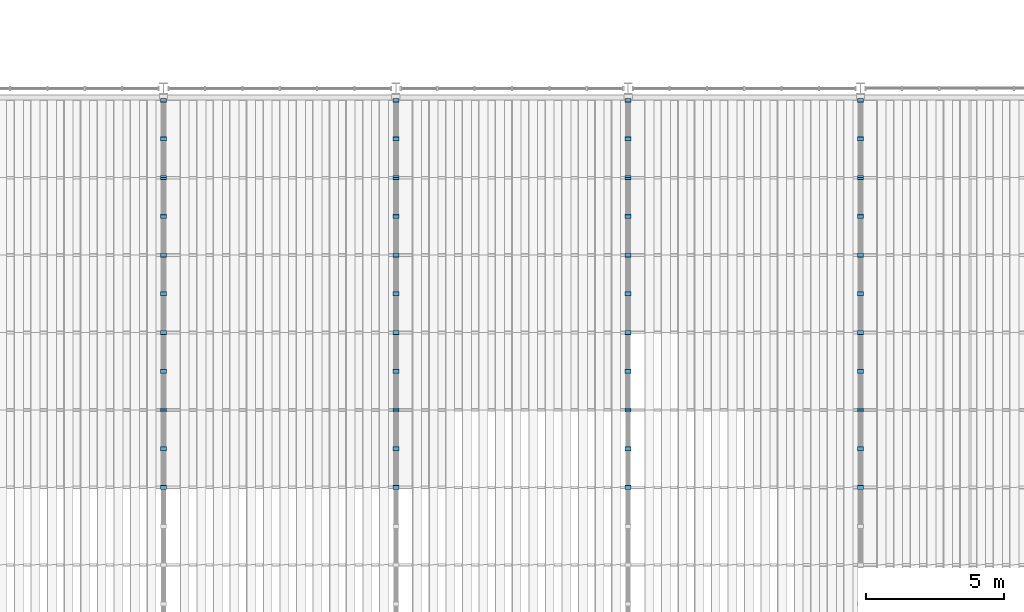
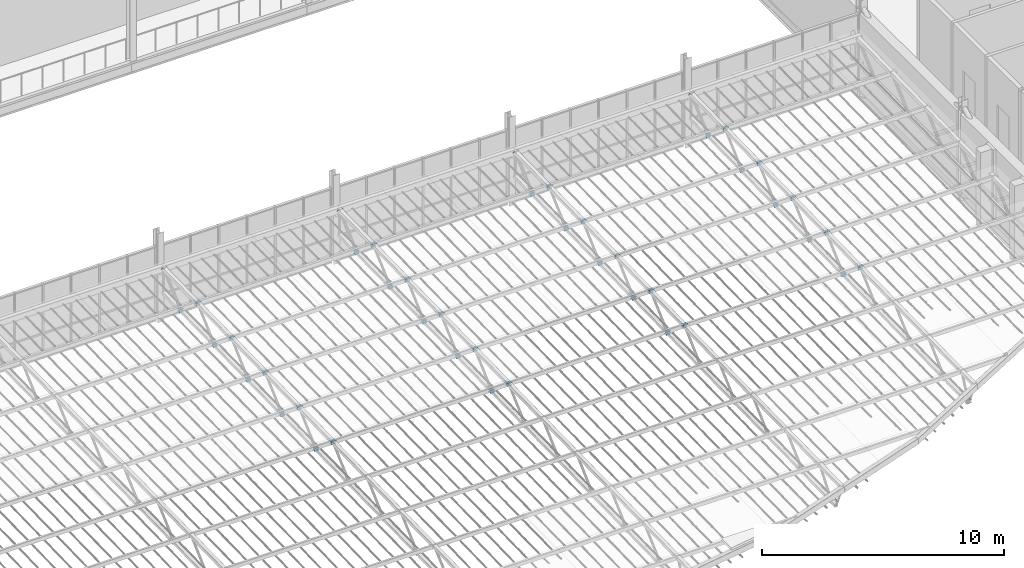
# One storey, part 108 of 129: 84 discrete accessories.
"""IFC4 building model written with IfcOpenShell, lengths in metres."""

from ifc_helpers import new_model, si_unit, direction, frame, origin, origin_2d, place, context, subcontext, project, spatial, rectangle, extrude, material, material_profile, profile_set, type_object, element, save


model = new_model("IFC4")

# Units and contexts
model_context = context("Model", 3, precision=1e-05, world=origin(), true_north=direction((0.0, 1.0)))
body_context = subcontext(model_context, "Body", "Model", "MODEL_VIEW")
ifc_project = project(units=[si_unit("LENGTHUNIT", "METRE"), si_unit("AREAUNIT", "SQUARE_METRE"), si_unit("VOLUMEUNIT", "CUBIC_METRE"), si_unit("PLANEANGLEUNIT", "RADIAN"), si_unit("MASSUNIT", "GRAM", prefix="KILO")], contexts=[model_context])

# Site, building, storey
site_placement = place(None, origin())
site = spatial("IfcSite", under=ifc_project, at=site_placement, CompositionType="ELEMENT")
building_placement = place(site_placement, origin())
building = spatial("IfcBuilding", under=site, at=building_placement, Name="Ardhachandra Cancer Care Centre", CompositionType="ELEMENT")
storey_placement = place(building_placement, frame((0.0, 0.0, 4.5)))
storey = spatial("IfcBuildingStorey", under=building, at=storey_placement, Name="L01", CompositionType="ELEMENT", Elevation=4.5)

# Discrete accessories
ifc_material = material(Name="Steel E250 (IS 2062)", Category="steel")
ifc_material_profile = material_profile(ifc_material, rectangle(XDim=0.21435546875, YDim=0.21435546875, at=origin_2d()), Name="PL 214x214x12")
ifc_profile_set = profile_set([ifc_material_profile], Name="Steel E250 (IS 2062)")
discrete_accessory_type = type_object("IfcDiscreteAccessoryType", Name="Diagonal end plate 214 x 214 x 12", PredefinedType="BRACKET", material=ifc_profile_set)
for number, where, z_axis, x_axis, name in (
    (1, (78.0, 54.175048828125, 2.853515625), (0.0, -0.746295434469, -0.665614846958), (1.0, 0.0, 0.0), "Diagonal end plate Canopy truss 5 web diagonal WD24 1"),
    (2, (78.0, 52.77490234375, 1.590576171875), (0.0, 0.746295434469, 0.665614846958), (-1.0, 0.0, 0.0), "Diagonal end plate Canopy truss 5 web diagonal WD24 2"),
):
    element("IfcDiscreteAccessory", number, at=place(storey_placement, frame(where, z_axis=z_axis, x_axis=x_axis)), inside=storey, type_object=discrete_accessory_type, Name=name, PredefinedType="BRACKET", context=body_context, shape_type="SweptSolid", body=[
        extrude(rectangle(XDim=0.21435546875, YDim=0.21435546875, at=origin_2d()), origin(), (0.0, 0.0, 1.0), 0.01220703125),
    ])
discrete_accessory_1_placement = place(storey_placement, frame((78.0, 52.77490234375, 1.590576171875), z_axis=(0.0, -0.756363172452, 0.654151932932), x_axis=(1.0, 0.0, 0.0)))
element("IfcDiscreteAccessory", 3, at=discrete_accessory_1_placement, inside=storey, type_object=discrete_accessory_type, Name="Diagonal end plate Canopy truss 5 web diagonal WD25 1", PredefinedType="BRACKET", context=body_context, shape_type="SweptSolid", body=[
    extrude(rectangle(XDim=0.21435546875, YDim=0.21435546875, at=origin_2d()), origin(), (0.0, 0.0, 1.0), 0.011962890625),
])
discrete_accessory_2_placement = place(storey_placement, frame((78.0, 51.375, 2.797607421875), z_axis=(0.0, 0.746295434469, -0.665614846958), x_axis=(-1.0, 0.0, 0.0)))
element("IfcDiscreteAccessory", 4, at=discrete_accessory_2_placement, inside=storey, type_object=discrete_accessory_type, Name="Diagonal end plate Canopy truss 5 web diagonal WD25 2", PredefinedType="BRACKET", context=body_context, shape_type="SweptSolid", body=[
    extrude(rectangle(XDim=0.21435546875, YDim=0.21435546875, at=origin_2d()), origin(), (0.0, 0.0, 1.0), 0.01220703125),
])
for number, where, z_axis, x_axis, name in (
    (5, (78.0, 51.375, 2.797607421875), (0.0, -0.737154140201, -0.675724628517), (1.0, 0.0, 0.0), "Diagonal end plate Canopy truss 5 web diagonal WD26 1"),
    (6, (78.0, 49.97509765625, 1.534423828125), (0.0, 0.737154140201, 0.675724628517), (-1.0, 0.0, 0.0), "Diagonal end plate Canopy truss 5 web diagonal WD26 2"),
):
    element("IfcDiscreteAccessory", number, at=place(storey_placement, frame(where, z_axis=z_axis, x_axis=x_axis)), inside=storey, type_object=discrete_accessory_type, Name=name, PredefinedType="BRACKET", context=body_context, shape_type="SweptSolid", body=[
        extrude(rectangle(XDim=0.21435546875, YDim=0.21435546875, at=origin_2d()), origin(), (0.0, 0.0, 1.0), 0.011962890625),
    ])
discrete_accessory_3_placement = place(storey_placement, frame((78.0, 49.97509765625, 1.534423828125), z_axis=(0.0, -0.764911198117, 0.644135745783), x_axis=(1.0, 0.0, 0.0)))
element("IfcDiscreteAccessory", 7, at=discrete_accessory_3_placement, inside=storey, type_object=discrete_accessory_type, Name="Diagonal end plate Canopy truss 5 web diagonal WD27 1", PredefinedType="BRACKET", context=body_context, shape_type="SweptSolid", body=[
    extrude(rectangle(XDim=0.21435546875, YDim=0.21435546875, at=origin_2d()), origin(), (0.0, 0.0, 1.0), 0.01220703125),
])
for number, where, z_axis, x_axis, name in (
    (8, (78.0, 48.574951171875, 2.741455078125), (0.0, 0.756363172452, -0.654151932932), (-1.0, 0.0, 0.0), "Diagonal end plate Canopy truss 5 web diagonal WD27 2"),
    (9, (78.0, 48.574951171875, 2.741455078125), (0.0, -0.737154140201, -0.675724628517), (1.0, 0.0, 0.0), "Diagonal end plate Canopy truss 5 web diagonal WD28 1"),
    (10, (78.0, 47.175048828125, 1.478515625), (0.0, 0.737154140201, 0.675724628517), (-1.0, 0.0, 0.0), "Diagonal end plate Canopy truss 5 web diagonal WD28 2"),
    (11, (78.0, 47.175048828125, 1.478515625), (0.0, -0.756363172452, 0.654151932932), (1.0, 0.0, 0.0), "Diagonal end plate Canopy truss 5 web diagonal WD29 1"),
):
    element("IfcDiscreteAccessory", number, at=place(storey_placement, frame(where, z_axis=z_axis, x_axis=x_axis)), inside=storey, type_object=discrete_accessory_type, Name=name, PredefinedType="BRACKET", context=body_context, shape_type="SweptSolid", body=[
        extrude(rectangle(XDim=0.21435546875, YDim=0.21435546875, at=origin_2d()), origin(), (0.0, 0.0, 1.0), 0.011962890625),
    ])
discrete_accessory_4_placement = place(storey_placement, frame((78.0, 45.77490234375, 2.685546875), z_axis=(0.0, 0.764911198117, -0.644135745783), x_axis=(-1.0, 0.0, 0.0)))
element("IfcDiscreteAccessory", 12, at=discrete_accessory_4_placement, inside=storey, type_object=discrete_accessory_type, Name="Diagonal end plate Canopy truss 5 web diagonal WD29 2", PredefinedType="BRACKET", context=body_context, shape_type="SweptSolid", body=[
    extrude(rectangle(XDim=0.21435546875, YDim=0.21435546875, at=origin_2d()), origin(), (0.0, 0.0, 1.0), 0.01220703125),
])
discrete_accessory_5_placement = place(storey_placement, frame((78.0, 45.77490234375, 2.685546875), z_axis=(0.0, -0.737154140201, -0.675724628517), x_axis=(1.0, 0.0, 0.0)))
element("IfcDiscreteAccessory", 13, at=discrete_accessory_5_placement, inside=storey, type_object=discrete_accessory_type, Name="Diagonal end plate Canopy truss 5 web diagonal WD30 1", PredefinedType="BRACKET", context=body_context, shape_type="SweptSolid", body=[
    extrude(rectangle(XDim=0.21435546875, YDim=0.21435546875, at=origin_2d()), origin(), (0.0, 0.0, 1.0), 0.011962890625),
])
discrete_accessory_6_placement = place(storey_placement, frame((78.0, 44.375, 1.422607421875), z_axis=(0.0, 0.747409318684, 0.66436383883), x_axis=(-1.0, 0.0, 0.0)))
element("IfcDiscreteAccessory", 14, at=discrete_accessory_6_placement, inside=storey, type_object=discrete_accessory_type, Name="Diagonal end plate Canopy truss 5 web diagonal WD30 2", PredefinedType="BRACKET", context=body_context, shape_type="SweptSolid", body=[
    extrude(rectangle(XDim=0.21435546875, YDim=0.21435546875, at=origin_2d()), origin(), (0.0, 0.0, 1.0), 0.01171875),
])
for number, where, z_axis, x_axis, name in (
    (15, (78.0, 44.375, 1.422607421875), (0.0, -0.756363172452, 0.654151932932), (1.0, 0.0, 0.0), "Diagonal end plate Canopy truss 5 web diagonal WD31 1"),
    (16, (78.0, 42.97509765625, 2.62939453125), (0.0, 0.756363172452, -0.654151932932), (-1.0, 0.0, 0.0), "Diagonal end plate Canopy truss 5 web diagonal WD31 2"),
    (17, (78.0, 42.97509765625, 2.62939453125), (0.0, -0.756363172452, -0.654151932932), (1.0, 0.0, 0.0), "Diagonal end plate Canopy truss 5 web diagonal WD32 1"),
):
    element("IfcDiscreteAccessory", number, at=place(storey_placement, frame(where, z_axis=z_axis, x_axis=x_axis)), inside=storey, type_object=discrete_accessory_type, Name=name, PredefinedType="BRACKET", context=body_context, shape_type="SweptSolid", body=[
        extrude(rectangle(XDim=0.21435546875, YDim=0.21435546875, at=origin_2d()), origin(), (0.0, 0.0, 1.0), 0.011962890625),
    ])
discrete_accessory_7_placement = place(storey_placement, frame((78.0, 41.574951171875, 1.366455078125), z_axis=(0.0, 0.746295434469, 0.665614846958), x_axis=(-1.0, 0.0, 0.0)))
element("IfcDiscreteAccessory", 18, at=discrete_accessory_7_placement, inside=storey, type_object=discrete_accessory_type, Name="Diagonal end plate Canopy truss 5 web diagonal WD32 2", PredefinedType="BRACKET", context=body_context, shape_type="SweptSolid", body=[
    extrude(rectangle(XDim=0.21435546875, YDim=0.21435546875, at=origin_2d()), origin(), (0.0, 0.0, 1.0), 0.01220703125),
])
for number, where, z_axis, x_axis, name in (
    (19, (78.0, 41.574951171875, 1.366455078125), (0.0, -0.756363172452, 0.654151932932), (1.0, 0.0, 0.0), "Diagonal end plate Canopy truss 5 web diagonal WD33 1"),
    (20, (78.0, 40.175048828125, 2.573486328125), (0.0, 0.756363172452, -0.654151932932), (-1.0, 0.0, 0.0), "Diagonal end plate Canopy truss 5 web diagonal WD33 2"),
):
    element("IfcDiscreteAccessory", number, at=place(storey_placement, frame(where, z_axis=z_axis, x_axis=x_axis)), inside=storey, type_object=discrete_accessory_type, Name=name, PredefinedType="BRACKET", context=body_context, shape_type="SweptSolid", body=[
        extrude(rectangle(XDim=0.21435546875, YDim=0.21435546875, at=origin_2d()), origin(), (0.0, 0.0, 1.0), 0.011962890625),
    ])
for number, where, z_axis, x_axis, name in (
    (21, (78.0, 40.175048828125, 2.573486328125), (0.0, -0.746295434469, -0.665614846958), (1.0, 0.0, 0.0), "Diagonal end plate Canopy truss 5 web diagonal WD34 1"),
    (22, (86.39990234375, 54.175048828125, 2.853515625), (0.0, -0.746295434469, -0.665614846958), (1.0, 0.0, 0.0), "Diagonal end plate Canopy truss 6 web diagonal WD23 1"),
    (23, (86.39990234375, 52.77490234375, 1.590576171875), (0.0, 0.746295434469, 0.665614846958), (-1.0, 0.0, 0.0), "Diagonal end plate Canopy truss 6 web diagonal WD23 2"),
):
    element("IfcDiscreteAccessory", number, at=place(storey_placement, frame(where, z_axis=z_axis, x_axis=x_axis)), inside=storey, type_object=discrete_accessory_type, Name=name, PredefinedType="BRACKET", context=body_context, shape_type="SweptSolid", body=[
        extrude(rectangle(XDim=0.21435546875, YDim=0.21435546875, at=origin_2d()), origin(), (0.0, 0.0, 1.0), 0.01220703125),
    ])
discrete_accessory_8_placement = place(storey_placement, frame((86.39990234375, 52.77490234375, 1.590576171875), z_axis=(0.0, -0.756363172452, 0.654151932932), x_axis=(1.0, 0.0, 0.0)))
element("IfcDiscreteAccessory", 24, at=discrete_accessory_8_placement, inside=storey, type_object=discrete_accessory_type, Name="Diagonal end plate Canopy truss 6 web diagonal WD24 1", PredefinedType="BRACKET", context=body_context, shape_type="SweptSolid", body=[
    extrude(rectangle(XDim=0.21435546875, YDim=0.21435546875, at=origin_2d()), origin(), (0.0, 0.0, 1.0), 0.011962890625),
])
discrete_accessory_9_placement = place(storey_placement, frame((86.39990234375, 51.375, 2.797607421875), z_axis=(0.0, 0.746295434469, -0.665614846958), x_axis=(-1.0, 0.0, 0.0)))
element("IfcDiscreteAccessory", 25, at=discrete_accessory_9_placement, inside=storey, type_object=discrete_accessory_type, Name="Diagonal end plate Canopy truss 6 web diagonal WD24 2", PredefinedType="BRACKET", context=body_context, shape_type="SweptSolid", body=[
    extrude(rectangle(XDim=0.21435546875, YDim=0.21435546875, at=origin_2d()), origin(), (0.0, 0.0, 1.0), 0.01220703125),
])
for number, where, z_axis, x_axis, name in (
    (26, (86.39990234375, 51.375, 2.797607421875), (0.0, -0.737154140201, -0.675724628517), (1.0, 0.0, 0.0), "Diagonal end plate Canopy truss 6 web diagonal WD25 1"),
    (27, (86.39990234375, 49.97509765625, 1.534423828125), (0.0, 0.737154140201, 0.675724628517), (-1.0, 0.0, 0.0), "Diagonal end plate Canopy truss 6 web diagonal WD25 2"),
):
    element("IfcDiscreteAccessory", number, at=place(storey_placement, frame(where, z_axis=z_axis, x_axis=x_axis)), inside=storey, type_object=discrete_accessory_type, Name=name, PredefinedType="BRACKET", context=body_context, shape_type="SweptSolid", body=[
        extrude(rectangle(XDim=0.21435546875, YDim=0.21435546875, at=origin_2d()), origin(), (0.0, 0.0, 1.0), 0.011962890625),
    ])
discrete_accessory_10_placement = place(storey_placement, frame((86.39990234375, 49.97509765625, 1.534423828125), z_axis=(0.0, -0.764911198117, 0.644135745783), x_axis=(1.0, 0.0, 0.0)))
element("IfcDiscreteAccessory", 28, at=discrete_accessory_10_placement, inside=storey, type_object=discrete_accessory_type, Name="Diagonal end plate Canopy truss 6 web diagonal WD26 1", PredefinedType="BRACKET", context=body_context, shape_type="SweptSolid", body=[
    extrude(rectangle(XDim=0.21435546875, YDim=0.21435546875, at=origin_2d()), origin(), (0.0, 0.0, 1.0), 0.01220703125),
])
for number, where, z_axis, x_axis, name in (
    (29, (86.39990234375, 48.574951171875, 2.741455078125), (0.0, 0.756363172452, -0.654151932932), (-1.0, 0.0, 0.0), "Diagonal end plate Canopy truss 6 web diagonal WD26 2"),
    (30, (86.39990234375, 48.574951171875, 2.741455078125), (0.0, -0.737154140201, -0.675724628517), (1.0, 0.0, 0.0), "Diagonal end plate Canopy truss 6 web diagonal WD27 1"),
    (31, (86.39990234375, 47.175048828125, 1.478515625), (0.0, 0.737154140201, 0.675724628517), (-1.0, 0.0, 0.0), "Diagonal end plate Canopy truss 6 web diagonal WD27 2"),
    (32, (86.39990234375, 47.175048828125, 1.478515625), (0.0, -0.756363172452, 0.654151932932), (1.0, 0.0, 0.0), "Diagonal end plate Canopy truss 6 web diagonal WD28 1"),
):
    element("IfcDiscreteAccessory", number, at=place(storey_placement, frame(where, z_axis=z_axis, x_axis=x_axis)), inside=storey, type_object=discrete_accessory_type, Name=name, PredefinedType="BRACKET", context=body_context, shape_type="SweptSolid", body=[
        extrude(rectangle(XDim=0.21435546875, YDim=0.21435546875, at=origin_2d()), origin(), (0.0, 0.0, 1.0), 0.011962890625),
    ])
discrete_accessory_11_placement = place(storey_placement, frame((86.39990234375, 45.77490234375, 2.685546875), z_axis=(0.0, 0.764911198117, -0.644135745783), x_axis=(-1.0, 0.0, 0.0)))
element("IfcDiscreteAccessory", 33, at=discrete_accessory_11_placement, inside=storey, type_object=discrete_accessory_type, Name="Diagonal end plate Canopy truss 6 web diagonal WD28 2", PredefinedType="BRACKET", context=body_context, shape_type="SweptSolid", body=[
    extrude(rectangle(XDim=0.21435546875, YDim=0.21435546875, at=origin_2d()), origin(), (0.0, 0.0, 1.0), 0.01220703125),
])
discrete_accessory_12_placement = place(storey_placement, frame((86.39990234375, 45.77490234375, 2.685546875), z_axis=(0.0, -0.737154140201, -0.675724628517), x_axis=(1.0, 0.0, 0.0)))
element("IfcDiscreteAccessory", 34, at=discrete_accessory_12_placement, inside=storey, type_object=discrete_accessory_type, Name="Diagonal end plate Canopy truss 6 web diagonal WD29 1", PredefinedType="BRACKET", context=body_context, shape_type="SweptSolid", body=[
    extrude(rectangle(XDim=0.21435546875, YDim=0.21435546875, at=origin_2d()), origin(), (0.0, 0.0, 1.0), 0.011962890625),
])
discrete_accessory_13_placement = place(storey_placement, frame((86.39990234375, 44.375, 1.422607421875), z_axis=(0.0, 0.747409318684, 0.66436383883), x_axis=(-1.0, 0.0, 0.0)))
element("IfcDiscreteAccessory", 35, at=discrete_accessory_13_placement, inside=storey, type_object=discrete_accessory_type, Name="Diagonal end plate Canopy truss 6 web diagonal WD29 2", PredefinedType="BRACKET", context=body_context, shape_type="SweptSolid", body=[
    extrude(rectangle(XDim=0.21435546875, YDim=0.21435546875, at=origin_2d()), origin(), (0.0, 0.0, 1.0), 0.01171875),
])
for number, where, z_axis, x_axis, name in (
    (36, (86.39990234375, 44.375, 1.422607421875), (0.0, -0.756363172452, 0.654151932932), (1.0, 0.0, 0.0), "Diagonal end plate Canopy truss 6 web diagonal WD30 1"),
    (37, (86.39990234375, 42.97509765625, 2.62939453125), (0.0, 0.756363172452, -0.654151932932), (-1.0, 0.0, 0.0), "Diagonal end plate Canopy truss 6 web diagonal WD30 2"),
    (38, (86.39990234375, 42.97509765625, 2.62939453125), (0.0, -0.756363172452, -0.654151932932), (1.0, 0.0, 0.0), "Diagonal end plate Canopy truss 6 web diagonal WD31 1"),
):
    element("IfcDiscreteAccessory", number, at=place(storey_placement, frame(where, z_axis=z_axis, x_axis=x_axis)), inside=storey, type_object=discrete_accessory_type, Name=name, PredefinedType="BRACKET", context=body_context, shape_type="SweptSolid", body=[
        extrude(rectangle(XDim=0.21435546875, YDim=0.21435546875, at=origin_2d()), origin(), (0.0, 0.0, 1.0), 0.011962890625),
    ])
discrete_accessory_14_placement = place(storey_placement, frame((86.39990234375, 41.574951171875, 1.366455078125), z_axis=(0.0, 0.746295434469, 0.665614846958), x_axis=(-1.0, 0.0, 0.0)))
element("IfcDiscreteAccessory", 39, at=discrete_accessory_14_placement, inside=storey, type_object=discrete_accessory_type, Name="Diagonal end plate Canopy truss 6 web diagonal WD31 2", PredefinedType="BRACKET", context=body_context, shape_type="SweptSolid", body=[
    extrude(rectangle(XDim=0.21435546875, YDim=0.21435546875, at=origin_2d()), origin(), (0.0, 0.0, 1.0), 0.01220703125),
])
for number, where, z_axis, x_axis, name in (
    (40, (86.39990234375, 41.574951171875, 1.366455078125), (0.0, -0.756363172452, 0.654151932932), (1.0, 0.0, 0.0), "Diagonal end plate Canopy truss 6 web diagonal WD32 1"),
    (41, (86.39990234375, 40.175048828125, 2.573486328125), (0.0, 0.756363172452, -0.654151932932), (-1.0, 0.0, 0.0), "Diagonal end plate Canopy truss 6 web diagonal WD32 2"),
):
    element("IfcDiscreteAccessory", number, at=place(storey_placement, frame(where, z_axis=z_axis, x_axis=x_axis)), inside=storey, type_object=discrete_accessory_type, Name=name, PredefinedType="BRACKET", context=body_context, shape_type="SweptSolid", body=[
        extrude(rectangle(XDim=0.21435546875, YDim=0.21435546875, at=origin_2d()), origin(), (0.0, 0.0, 1.0), 0.011962890625),
    ])
for number, where, z_axis, x_axis, name in (
    (42, (86.39990234375, 40.175048828125, 2.573486328125), (0.0, -0.746295434469, -0.665614846958), (1.0, 0.0, 0.0), "Diagonal end plate Canopy truss 6 web diagonal WD33 1"),
    (43, (94.800048828125, 54.175048828125, 2.853515625), (0.0, -0.746295434469, -0.665614846958), (1.0, 0.0, 0.0), "Diagonal end plate Canopy truss 7 web diagonal WD22 1"),
    (44, (94.800048828125, 52.77490234375, 1.590576171875), (0.0, 0.746295434469, 0.665614846958), (-1.0, 0.0, 0.0), "Diagonal end plate Canopy truss 7 web diagonal WD22 2"),
):
    element("IfcDiscreteAccessory", number, at=place(storey_placement, frame(where, z_axis=z_axis, x_axis=x_axis)), inside=storey, type_object=discrete_accessory_type, Name=name, PredefinedType="BRACKET", context=body_context, shape_type="SweptSolid", body=[
        extrude(rectangle(XDim=0.21435546875, YDim=0.21435546875, at=origin_2d()), origin(), (0.0, 0.0, 1.0), 0.01220703125),
    ])
discrete_accessory_15_placement = place(storey_placement, frame((94.800048828125, 52.77490234375, 1.590576171875), z_axis=(0.0, -0.756363172452, 0.654151932932), x_axis=(1.0, 0.0, 0.0)))
element("IfcDiscreteAccessory", 45, at=discrete_accessory_15_placement, inside=storey, type_object=discrete_accessory_type, Name="Diagonal end plate Canopy truss 7 web diagonal WD23 1", PredefinedType="BRACKET", context=body_context, shape_type="SweptSolid", body=[
    extrude(rectangle(XDim=0.21435546875, YDim=0.21435546875, at=origin_2d()), origin(), (0.0, 0.0, 1.0), 0.011962890625),
])
discrete_accessory_16_placement = place(storey_placement, frame((94.800048828125, 51.375, 2.797607421875), z_axis=(0.0, 0.746295434469, -0.665614846958), x_axis=(-1.0, 0.0, 0.0)))
element("IfcDiscreteAccessory", 46, at=discrete_accessory_16_placement, inside=storey, type_object=discrete_accessory_type, Name="Diagonal end plate Canopy truss 7 web diagonal WD23 2", PredefinedType="BRACKET", context=body_context, shape_type="SweptSolid", body=[
    extrude(rectangle(XDim=0.21435546875, YDim=0.21435546875, at=origin_2d()), origin(), (0.0, 0.0, 1.0), 0.01220703125),
])
for number, where, z_axis, x_axis, name in (
    (47, (94.800048828125, 51.375, 2.797607421875), (0.0, -0.737154140201, -0.675724628517), (1.0, 0.0, 0.0), "Diagonal end plate Canopy truss 7 web diagonal WD24 1"),
    (48, (94.800048828125, 49.97509765625, 1.534423828125), (0.0, 0.737154140201, 0.675724628517), (-1.0, 0.0, 0.0), "Diagonal end plate Canopy truss 7 web diagonal WD24 2"),
):
    element("IfcDiscreteAccessory", number, at=place(storey_placement, frame(where, z_axis=z_axis, x_axis=x_axis)), inside=storey, type_object=discrete_accessory_type, Name=name, PredefinedType="BRACKET", context=body_context, shape_type="SweptSolid", body=[
        extrude(rectangle(XDim=0.21435546875, YDim=0.21435546875, at=origin_2d()), origin(), (0.0, 0.0, 1.0), 0.011962890625),
    ])
discrete_accessory_17_placement = place(storey_placement, frame((94.800048828125, 49.97509765625, 1.534423828125), z_axis=(0.0, -0.764911198117, 0.644135745783), x_axis=(1.0, 0.0, 0.0)))
element("IfcDiscreteAccessory", 49, at=discrete_accessory_17_placement, inside=storey, type_object=discrete_accessory_type, Name="Diagonal end plate Canopy truss 7 web diagonal WD25 1", PredefinedType="BRACKET", context=body_context, shape_type="SweptSolid", body=[
    extrude(rectangle(XDim=0.21435546875, YDim=0.21435546875, at=origin_2d()), origin(), (0.0, 0.0, 1.0), 0.01220703125),
])
for number, where, z_axis, x_axis, name in (
    (50, (94.800048828125, 48.574951171875, 2.741455078125), (0.0, 0.756363172452, -0.654151932932), (-1.0, 0.0, 0.0), "Diagonal end plate Canopy truss 7 web diagonal WD25 2"),
    (51, (94.800048828125, 48.574951171875, 2.741455078125), (0.0, -0.737154140201, -0.675724628517), (1.0, 0.0, 0.0), "Diagonal end plate Canopy truss 7 web diagonal WD26 1"),
    (52, (94.800048828125, 47.175048828125, 1.478515625), (0.0, 0.737154140201, 0.675724628517), (-1.0, 0.0, 0.0), "Diagonal end plate Canopy truss 7 web diagonal WD26 2"),
    (53, (94.800048828125, 47.175048828125, 1.478515625), (0.0, -0.756363172452, 0.654151932932), (1.0, 0.0, 0.0), "Diagonal end plate Canopy truss 7 web diagonal WD27 1"),
):
    element("IfcDiscreteAccessory", number, at=place(storey_placement, frame(where, z_axis=z_axis, x_axis=x_axis)), inside=storey, type_object=discrete_accessory_type, Name=name, PredefinedType="BRACKET", context=body_context, shape_type="SweptSolid", body=[
        extrude(rectangle(XDim=0.21435546875, YDim=0.21435546875, at=origin_2d()), origin(), (0.0, 0.0, 1.0), 0.011962890625),
    ])
discrete_accessory_18_placement = place(storey_placement, frame((94.800048828125, 45.77490234375, 2.685546875), z_axis=(0.0, 0.764911198117, -0.644135745783), x_axis=(-1.0, 0.0, 0.0)))
element("IfcDiscreteAccessory", 54, at=discrete_accessory_18_placement, inside=storey, type_object=discrete_accessory_type, Name="Diagonal end plate Canopy truss 7 web diagonal WD27 2", PredefinedType="BRACKET", context=body_context, shape_type="SweptSolid", body=[
    extrude(rectangle(XDim=0.21435546875, YDim=0.21435546875, at=origin_2d()), origin(), (0.0, 0.0, 1.0), 0.01220703125),
])
discrete_accessory_19_placement = place(storey_placement, frame((94.800048828125, 45.77490234375, 2.685546875), z_axis=(0.0, -0.737154140201, -0.675724628517), x_axis=(1.0, 0.0, 0.0)))
element("IfcDiscreteAccessory", 55, at=discrete_accessory_19_placement, inside=storey, type_object=discrete_accessory_type, Name="Diagonal end plate Canopy truss 7 web diagonal WD28 1", PredefinedType="BRACKET", context=body_context, shape_type="SweptSolid", body=[
    extrude(rectangle(XDim=0.21435546875, YDim=0.21435546875, at=origin_2d()), origin(), (0.0, 0.0, 1.0), 0.011962890625),
])
discrete_accessory_20_placement = place(storey_placement, frame((94.800048828125, 44.375, 1.422607421875), z_axis=(0.0, 0.747409318684, 0.66436383883), x_axis=(-1.0, 0.0, 0.0)))
element("IfcDiscreteAccessory", 56, at=discrete_accessory_20_placement, inside=storey, type_object=discrete_accessory_type, Name="Diagonal end plate Canopy truss 7 web diagonal WD28 2", PredefinedType="BRACKET", context=body_context, shape_type="SweptSolid", body=[
    extrude(rectangle(XDim=0.21435546875, YDim=0.21435546875, at=origin_2d()), origin(), (0.0, 0.0, 1.0), 0.01171875),
])
for number, where, z_axis, x_axis, name in (
    (57, (94.800048828125, 44.375, 1.422607421875), (0.0, -0.756363172452, 0.654151932932), (1.0, 0.0, 0.0), "Diagonal end plate Canopy truss 7 web diagonal WD29 1"),
    (58, (94.800048828125, 42.97509765625, 2.62939453125), (0.0, 0.756363172452, -0.654151932932), (-1.0, 0.0, 0.0), "Diagonal end plate Canopy truss 7 web diagonal WD29 2"),
    (59, (94.800048828125, 42.97509765625, 2.62939453125), (0.0, -0.756363172452, -0.654151932932), (1.0, 0.0, 0.0), "Diagonal end plate Canopy truss 7 web diagonal WD30 1"),
):
    element("IfcDiscreteAccessory", number, at=place(storey_placement, frame(where, z_axis=z_axis, x_axis=x_axis)), inside=storey, type_object=discrete_accessory_type, Name=name, PredefinedType="BRACKET", context=body_context, shape_type="SweptSolid", body=[
        extrude(rectangle(XDim=0.21435546875, YDim=0.21435546875, at=origin_2d()), origin(), (0.0, 0.0, 1.0), 0.011962890625),
    ])
discrete_accessory_21_placement = place(storey_placement, frame((94.800048828125, 41.574951171875, 1.366455078125), z_axis=(0.0, 0.746295434469, 0.665614846958), x_axis=(-1.0, 0.0, 0.0)))
element("IfcDiscreteAccessory", 60, at=discrete_accessory_21_placement, inside=storey, type_object=discrete_accessory_type, Name="Diagonal end plate Canopy truss 7 web diagonal WD30 2", PredefinedType="BRACKET", context=body_context, shape_type="SweptSolid", body=[
    extrude(rectangle(XDim=0.21435546875, YDim=0.21435546875, at=origin_2d()), origin(), (0.0, 0.0, 1.0), 0.01220703125),
])
for number, where, z_axis, x_axis, name in (
    (61, (94.800048828125, 41.574951171875, 1.366455078125), (0.0, -0.756363172452, 0.654151932932), (1.0, 0.0, 0.0), "Diagonal end plate Canopy truss 7 web diagonal WD31 1"),
    (62, (94.800048828125, 40.175048828125, 2.573486328125), (0.0, 0.756363172452, -0.654151932932), (-1.0, 0.0, 0.0), "Diagonal end plate Canopy truss 7 web diagonal WD31 2"),
):
    element("IfcDiscreteAccessory", number, at=place(storey_placement, frame(where, z_axis=z_axis, x_axis=x_axis)), inside=storey, type_object=discrete_accessory_type, Name=name, PredefinedType="BRACKET", context=body_context, shape_type="SweptSolid", body=[
        extrude(rectangle(XDim=0.21435546875, YDim=0.21435546875, at=origin_2d()), origin(), (0.0, 0.0, 1.0), 0.011962890625),
    ])
for number, where, z_axis, x_axis, name in (
    (63, (94.800048828125, 40.175048828125, 2.573486328125), (0.0, -0.746295434469, -0.665614846958), (1.0, 0.0, 0.0), "Diagonal end plate Canopy truss 7 web diagonal WD32 1"),
    (64, (103.199951171875, 54.175048828125, 2.853515625), (0.0, -0.746295434469, -0.665614846958), (1.0, 0.0, 0.0), "Diagonal end plate Canopy truss 8 web diagonal WD19 1"),
    (65, (103.199951171875, 52.77490234375, 1.590576171875), (0.0, 0.746295434469, 0.665614846958), (-1.0, 0.0, 0.0), "Diagonal end plate Canopy truss 8 web diagonal WD19 2"),
):
    element("IfcDiscreteAccessory", number, at=place(storey_placement, frame(where, z_axis=z_axis, x_axis=x_axis)), inside=storey, type_object=discrete_accessory_type, Name=name, PredefinedType="BRACKET", context=body_context, shape_type="SweptSolid", body=[
        extrude(rectangle(XDim=0.21435546875, YDim=0.21435546875, at=origin_2d()), origin(), (0.0, 0.0, 1.0), 0.01220703125),
    ])
discrete_accessory_22_placement = place(storey_placement, frame((103.199951171875, 52.77490234375, 1.590576171875), z_axis=(0.0, -0.756363172452, 0.654151932932), x_axis=(1.0, 0.0, 0.0)))
element("IfcDiscreteAccessory", 66, at=discrete_accessory_22_placement, inside=storey, type_object=discrete_accessory_type, Name="Diagonal end plate Canopy truss 8 web diagonal WD20 1", PredefinedType="BRACKET", context=body_context, shape_type="SweptSolid", body=[
    extrude(rectangle(XDim=0.21435546875, YDim=0.21435546875, at=origin_2d()), origin(), (0.0, 0.0, 1.0), 0.011962890625),
])
discrete_accessory_23_placement = place(storey_placement, frame((103.199951171875, 51.375, 2.797607421875), z_axis=(0.0, 0.746295434469, -0.665614846958), x_axis=(-1.0, 0.0, 0.0)))
element("IfcDiscreteAccessory", 67, at=discrete_accessory_23_placement, inside=storey, type_object=discrete_accessory_type, Name="Diagonal end plate Canopy truss 8 web diagonal WD20 2", PredefinedType="BRACKET", context=body_context, shape_type="SweptSolid", body=[
    extrude(rectangle(XDim=0.21435546875, YDim=0.21435546875, at=origin_2d()), origin(), (0.0, 0.0, 1.0), 0.01220703125),
])
for number, where, z_axis, x_axis, name in (
    (68, (103.199951171875, 51.375, 2.797607421875), (0.0, -0.737154140201, -0.675724628517), (1.0, 0.0, 0.0), "Diagonal end plate Canopy truss 8 web diagonal WD21 1"),
    (69, (103.199951171875, 49.97509765625, 1.534423828125), (0.0, 0.737154140201, 0.675724628517), (-1.0, 0.0, 0.0), "Diagonal end plate Canopy truss 8 web diagonal WD21 2"),
):
    element("IfcDiscreteAccessory", number, at=place(storey_placement, frame(where, z_axis=z_axis, x_axis=x_axis)), inside=storey, type_object=discrete_accessory_type, Name=name, PredefinedType="BRACKET", context=body_context, shape_type="SweptSolid", body=[
        extrude(rectangle(XDim=0.21435546875, YDim=0.21435546875, at=origin_2d()), origin(), (0.0, 0.0, 1.0), 0.011962890625),
    ])
discrete_accessory_24_placement = place(storey_placement, frame((103.199951171875, 49.97509765625, 1.534423828125), z_axis=(0.0, -0.764911198117, 0.644135745783), x_axis=(1.0, 0.0, 0.0)))
element("IfcDiscreteAccessory", 70, at=discrete_accessory_24_placement, inside=storey, type_object=discrete_accessory_type, Name="Diagonal end plate Canopy truss 8 web diagonal WD22 1", PredefinedType="BRACKET", context=body_context, shape_type="SweptSolid", body=[
    extrude(rectangle(XDim=0.21435546875, YDim=0.21435546875, at=origin_2d()), origin(), (0.0, 0.0, 1.0), 0.01220703125),
])
for number, where, z_axis, x_axis, name in (
    (71, (103.199951171875, 48.574951171875, 2.741455078125), (0.0, 0.756363172452, -0.654151932932), (-1.0, 0.0, 0.0), "Diagonal end plate Canopy truss 8 web diagonal WD22 2"),
    (72, (103.199951171875, 48.574951171875, 2.741455078125), (0.0, -0.737154140201, -0.675724628517), (1.0, 0.0, 0.0), "Diagonal end plate Canopy truss 8 web diagonal WD23 1"),
    (73, (103.199951171875, 47.175048828125, 1.478515625), (0.0, 0.737154140201, 0.675724628517), (-1.0, 0.0, 0.0), "Diagonal end plate Canopy truss 8 web diagonal WD23 2"),
    (74, (103.199951171875, 47.175048828125, 1.478515625), (0.0, -0.756363172452, 0.654151932932), (1.0, 0.0, 0.0), "Diagonal end plate Canopy truss 8 web diagonal WD24 1"),
):
    element("IfcDiscreteAccessory", number, at=place(storey_placement, frame(where, z_axis=z_axis, x_axis=x_axis)), inside=storey, type_object=discrete_accessory_type, Name=name, PredefinedType="BRACKET", context=body_context, shape_type="SweptSolid", body=[
        extrude(rectangle(XDim=0.21435546875, YDim=0.21435546875, at=origin_2d()), origin(), (0.0, 0.0, 1.0), 0.011962890625),
    ])
discrete_accessory_25_placement = place(storey_placement, frame((103.199951171875, 45.77490234375, 2.685546875), z_axis=(0.0, 0.764911198117, -0.644135745783), x_axis=(-1.0, 0.0, 0.0)))
element("IfcDiscreteAccessory", 75, at=discrete_accessory_25_placement, inside=storey, type_object=discrete_accessory_type, Name="Diagonal end plate Canopy truss 8 web diagonal WD24 2", PredefinedType="BRACKET", context=body_context, shape_type="SweptSolid", body=[
    extrude(rectangle(XDim=0.21435546875, YDim=0.21435546875, at=origin_2d()), origin(), (0.0, 0.0, 1.0), 0.01220703125),
])
discrete_accessory_26_placement = place(storey_placement, frame((103.199951171875, 45.77490234375, 2.685546875), z_axis=(0.0, -0.737154140201, -0.675724628517), x_axis=(1.0, 0.0, 0.0)))
element("IfcDiscreteAccessory", 76, at=discrete_accessory_26_placement, inside=storey, type_object=discrete_accessory_type, Name="Diagonal end plate Canopy truss 8 web diagonal WD25 1", PredefinedType="BRACKET", context=body_context, shape_type="SweptSolid", body=[
    extrude(rectangle(XDim=0.21435546875, YDim=0.21435546875, at=origin_2d()), origin(), (0.0, 0.0, 1.0), 0.011962890625),
])
discrete_accessory_27_placement = place(storey_placement, frame((103.199951171875, 44.375, 1.422607421875), z_axis=(0.0, 0.747409318684, 0.66436383883), x_axis=(-1.0, 0.0, 0.0)))
element("IfcDiscreteAccessory", 77, at=discrete_accessory_27_placement, inside=storey, type_object=discrete_accessory_type, Name="Diagonal end plate Canopy truss 8 web diagonal WD25 2", PredefinedType="BRACKET", context=body_context, shape_type="SweptSolid", body=[
    extrude(rectangle(XDim=0.21435546875, YDim=0.21435546875, at=origin_2d()), origin(), (0.0, 0.0, 1.0), 0.01171875),
])
for number, where, z_axis, x_axis, name in (
    (78, (103.199951171875, 44.375, 1.422607421875), (0.0, -0.756363172452, 0.654151932932), (1.0, 0.0, 0.0), "Diagonal end plate Canopy truss 8 web diagonal WD26 1"),
    (79, (103.199951171875, 42.97509765625, 2.62939453125), (0.0, 0.756363172452, -0.654151932932), (-1.0, 0.0, 0.0), "Diagonal end plate Canopy truss 8 web diagonal WD26 2"),
    (80, (103.199951171875, 42.97509765625, 2.62939453125), (0.0, -0.756363172452, -0.654151932932), (1.0, 0.0, 0.0), "Diagonal end plate Canopy truss 8 web diagonal WD27 1"),
):
    element("IfcDiscreteAccessory", number, at=place(storey_placement, frame(where, z_axis=z_axis, x_axis=x_axis)), inside=storey, type_object=discrete_accessory_type, Name=name, PredefinedType="BRACKET", context=body_context, shape_type="SweptSolid", body=[
        extrude(rectangle(XDim=0.21435546875, YDim=0.21435546875, at=origin_2d()), origin(), (0.0, 0.0, 1.0), 0.011962890625),
    ])
discrete_accessory_28_placement = place(storey_placement, frame((103.199951171875, 41.574951171875, 1.366455078125), z_axis=(0.0, 0.746295434469, 0.665614846958), x_axis=(-1.0, 0.0, 0.0)))
element("IfcDiscreteAccessory", 81, at=discrete_accessory_28_placement, inside=storey, type_object=discrete_accessory_type, Name="Diagonal end plate Canopy truss 8 web diagonal WD27 2", PredefinedType="BRACKET", context=body_context, shape_type="SweptSolid", body=[
    extrude(rectangle(XDim=0.21435546875, YDim=0.21435546875, at=origin_2d()), origin(), (0.0, 0.0, 1.0), 0.01220703125),
])
for number, where, z_axis, x_axis, name in (
    (82, (103.199951171875, 41.574951171875, 1.366455078125), (0.0, -0.756363172452, 0.654151932932), (1.0, 0.0, 0.0), "Diagonal end plate Canopy truss 8 web diagonal WD28 1"),
    (83, (103.199951171875, 40.175048828125, 2.573486328125), (0.0, 0.756363172452, -0.654151932932), (-1.0, 0.0, 0.0), "Diagonal end plate Canopy truss 8 web diagonal WD28 2"),
):
    element("IfcDiscreteAccessory", number, at=place(storey_placement, frame(where, z_axis=z_axis, x_axis=x_axis)), inside=storey, type_object=discrete_accessory_type, Name=name, PredefinedType="BRACKET", context=body_context, shape_type="SweptSolid", body=[
        extrude(rectangle(XDim=0.21435546875, YDim=0.21435546875, at=origin_2d()), origin(), (0.0, 0.0, 1.0), 0.011962890625),
    ])
discrete_accessory_29_placement = place(storey_placement, frame((103.199951171875, 40.175048828125, 2.573486328125), z_axis=(0.0, -0.746295434469, -0.665614846958), x_axis=(1.0, 0.0, 0.0)))
element("IfcDiscreteAccessory", 84, at=discrete_accessory_29_placement, inside=storey, type_object=discrete_accessory_type, Name="Diagonal end plate Canopy truss 8 web diagonal WD29 1", PredefinedType="BRACKET", context=body_context, shape_type="SweptSolid", body=[
    extrude(rectangle(XDim=0.21435546875, YDim=0.21435546875, at=origin_2d()), origin(), (0.0, 0.0, 1.0), 0.01220703125),
])

save(model, "model.ifc")
